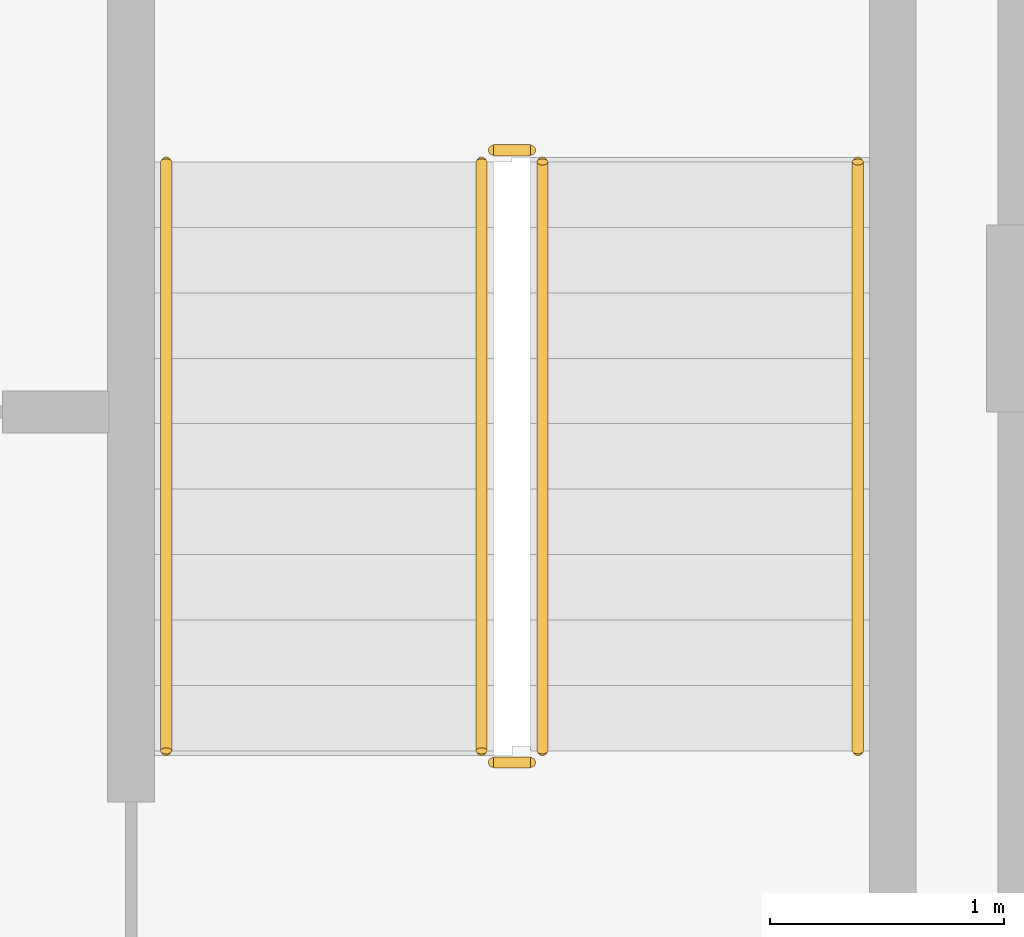
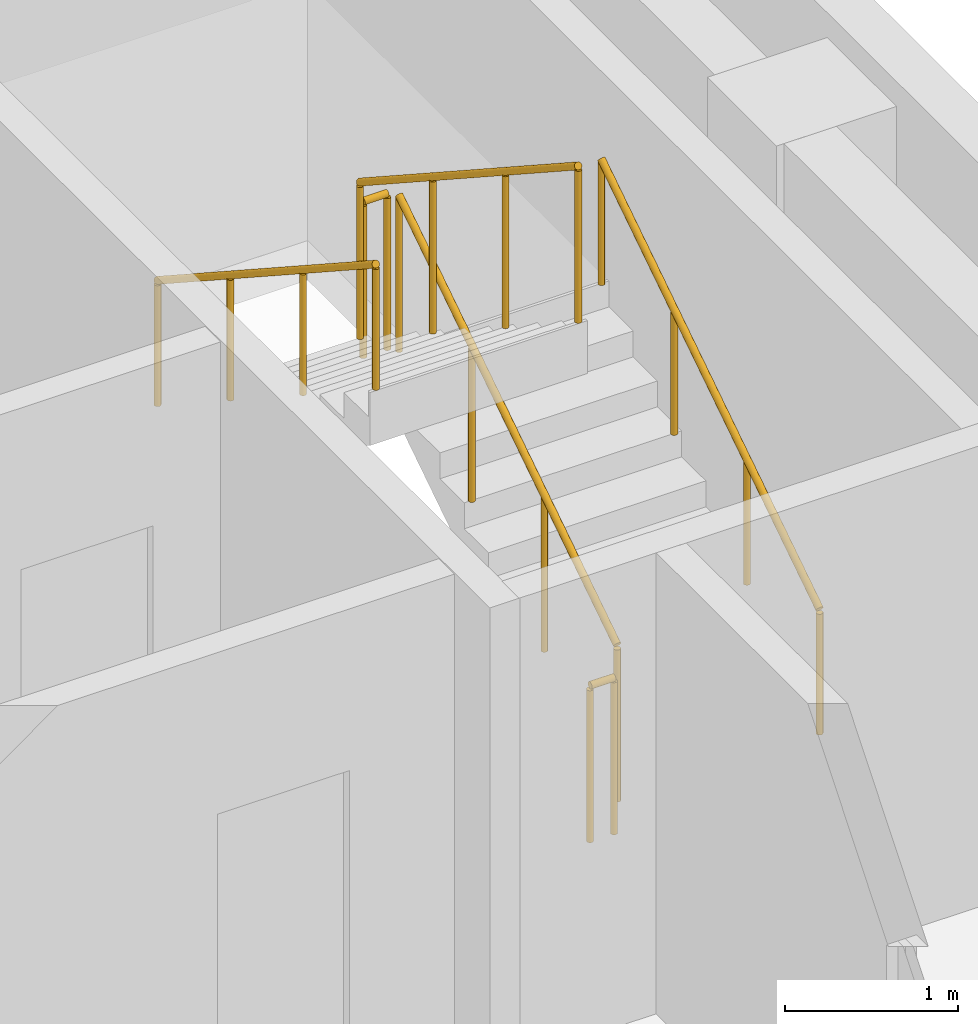
# One storey, part 13 of 14: 6 railings.
"""IFC4 building model written with IfcOpenShell, lengths in metres."""

import ifcopenshell
import ifcopenshell.guid

model = None  # the IFC model being written
_history = None  # IfcOwnerHistory: only IFC2X3 demands one
_inside = {}  # id of a spatial element -> (the spatial element, [elements in it])
_under = {}  # id of a project, library or spatial element -> (it, [spatial elements below it])
_declared = {}  # id of a project -> (the project, [libraries it declares])
_typed = {}  # id of a type object -> (the type object, [elements of that type])
_made_of = {}  # id of a material, layer set ... -> (it, [elements and type objects made of it])


def new_model(schema):
    """Start an empty IFC model of exactly this schema.

    Asked for "IFC4X3", IfcOpenShell would pick the latest addendum, in which some entities
    have other attributes; the version numbers below select the first issue.
    IFC2X3 requires an IfcOwnerHistory on every rooted entity: one is made here for all.
    """
    global model, _history
    if schema == "IFC4X3":
        model = ifcopenshell.file(schema_version=(4, 3, 0, 0))
    else:
        model = ifcopenshell.file(schema=schema)
    _inside.clear()
    _under.clear()
    _declared.clear()
    _typed.clear()
    _made_of.clear()
    _history = None
    if model.schema == "IFC2X3":
        org = make("IfcOrganization", Name="unknown")
        user = make(
            "IfcPersonAndOrganization",
            ThePerson=make("IfcPerson", FamilyName="unknown"),
            TheOrganization=org,
        )
        app = make(
            "IfcApplication",
            ApplicationDeveloper=org,
            Version="unknown",
            ApplicationFullName="unknown",
            ApplicationIdentifier="unknown",
        )
        _history = make(
            "IfcOwnerHistory",
            OwningUser=user,
            OwningApplication=app,
            ChangeAction="ADDED",
            CreationDate=0,
        )
    return model


def make(cls, **values):
    """One entity of the class cls with the attributes given. An attribute that is None is left unset."""
    return model.create_entity(
        cls, **{name: value for name, value in values.items() if value is not None}
    )


def rooted(cls, **values):
    """An entity with a GlobalId (a new one), such as an element, a storey or a relation."""
    return make(cls, GlobalId=ifcopenshell.guid.new(), OwnerHistory=_history, **values)


def si_unit(unit_type, name, prefix=None):
    """IfcSIUnit, for example si_unit("LENGTHUNIT", "METRE", prefix="MILLI")."""
    return make("IfcSIUnit", UnitType=unit_type, Prefix=prefix, Name=name)


def assignment(units):
    """IfcUnitAssignment: the units of a project."""
    return None if units is None else make("IfcUnitAssignment", Units=units)


def point(xyz):
    """IfcCartesianPoint."""
    return None if xyz is None else make("IfcCartesianPoint", Coordinates=xyz)


def direction(xyz):
    """IfcDirection."""
    return None if xyz is None else make("IfcDirection", DirectionRatios=xyz)


def frame(location, z_axis=None, x_axis=None):
    """IfcAxis2Placement3D, a coordinate frame: its origin and axes. An axis left out is left unset."""
    return make(
        "IfcAxis2Placement3D",
        Location=point(location),
        Axis=direction(z_axis),
        RefDirection=direction(x_axis),
    )


def frame_2d(location, x_axis=None):
    """IfcAxis2Placement2D, a coordinate frame in the plane: its origin and x axis."""
    return make(
        "IfcAxis2Placement2D", Location=point(location), RefDirection=direction(x_axis)
    )


def origin():
    """The frame at (0, 0, 0) with its axes left unset."""
    return frame((0.0, 0.0, 0.0))


def origin_2d():
    """The frame at (0, 0) in the plane with its x axis left unset."""
    return frame_2d((0.0, 0.0))


def place(relative_to, where):
    """IfcLocalPlacement: puts the frame where relative to a parent placement (None: the world)."""
    return make(
        "IfcLocalPlacement", PlacementRelTo=relative_to, RelativePlacement=where
    )


def context(
    kind, dimensions, precision=None, world=None, true_north=None, identifier=None
):
    """IfcGeometricRepresentationContext, for example the 3D "Model" context."""
    return make(
        "IfcGeometricRepresentationContext",
        ContextIdentifier=identifier,
        ContextType=kind,
        CoordinateSpaceDimension=dimensions,
        Precision=precision,
        WorldCoordinateSystem=world,
        TrueNorth=true_north,
    )


def subcontext(parent, identifier, kind, view, scale=None):
    """IfcGeometricRepresentationSubContext, for example "Body" below "Model"."""
    return make(
        "IfcGeometricRepresentationSubContext",
        ContextIdentifier=identifier,
        ContextType=kind,
        ParentContext=parent,
        TargetScale=scale,
        TargetView=view,
    )


def project(units=None, contexts=None):
    """IfcProject with its units and contexts."""
    return rooted(
        "IfcProject",
        Name="project",
        RepresentationContexts=contexts,
        UnitsInContext=assignment(units),
    )


def spatial(cls, under=None, at=None, **own):
    """A site, building, storey or space (cls), placed at a placement, below another one or the project."""
    s = rooted(cls, ObjectPlacement=at, **own)
    if under is not None:
        _under.setdefault(under.id(), (under, []))[1].append(s)
    return s


def profile(cls, at=None, kind="AREA", **sizes):
    """A parametric profile (cls). Its sizes go by their IFC names, for example OverallWidth=200.0."""
    return make(cls, ProfileType=kind, Position=at, **sizes)


def circle(**sizes):
    """IfcCircleProfileDef."""
    return profile("IfcCircleProfileDef", **sizes)


def extrude(swept, where, along, depth):
    """IfcExtrudedAreaSolid: the profile swept, set in the frame where, extruded along a direction by depth."""
    return make(
        "IfcExtrudedAreaSolid",
        SweptArea=swept,
        Position=where,
        ExtrudedDirection=direction(along),
        Depth=depth,
    )


def shape(context_of_items, identifier, shape_type, items):
    """IfcShapeRepresentation: the items that make up one representation, for example the "Body"."""
    return make(
        "IfcShapeRepresentation",
        ContextOfItems=context_of_items,
        RepresentationIdentifier=identifier,
        RepresentationType=shape_type,
        Items=items,
    )


def material(Name=None, Category=None):
    """IfcMaterial."""
    return make("IfcMaterial", Name=Name, Category=Category)


def made_of(thing, what):
    """Note that an element or type object is made of a material, layer set ...; save() writes the relation."""
    if what is not None:
        _made_of.setdefault(what.id(), (what, []))[1].append(thing)
    return thing


def type_object(cls, material=None, **own):
    """A type object (cls), such as IfcWallType, which elements share."""
    return made_of(rooted(cls, **own), material)


def element(
    cls,
    number,
    at=None,
    inside=None,
    cuts=None,
    type_object=None,
    material=None,
    context=None,
    identifier="Body",
    shape_type=None,
    held_by="IfcProductDefinitionShape",
    body=None,
    shapes=None,
    **own,
):
    """One element of the class cls, such as IfcWall. Its Tag is "e" and its number.

    at: its placement. inside: the storey or other place that contains it. cuts: it is an
    opening in that element (IfcRelVoidsElement). A single representation is given by context,
    identifier, shape_type and body (its items); several are given by shapes. held_by: the class
    of the entity that holds the representations. save() writes the other relations.
    """
    e = rooted(cls, Tag="e%d" % number, ObjectPlacement=at, **own)
    if body is not None:
        shapes = [shape(context, identifier, shape_type, body)]
    if shapes is not None:
        e.Representation = make(held_by, Representations=shapes)
    if inside is not None:
        _inside.setdefault(inside.id(), (inside, []))[1].append(e)
    if cuts is not None:
        rooted(
            "IfcRelVoidsElement", RelatingBuildingElement=cuts, RelatedOpeningElement=e
        )
    if type_object is not None:
        _typed.setdefault(type_object.id(), (type_object, []))[1].append(e)
    return made_of(e, material)


def aggregate(whole, parts):
    """IfcRelAggregates: a whole, such as a stair, and the parts it consists of."""
    return rooted("IfcRelAggregates", RelatingObject=whole, RelatedObjects=parts)


def save(model, path):
    """Write the relations noted so far, then the file.

    IfcRelAggregates (storeys below a building ...), IfcRelContainedInSpatialStructure (elements
    in a storey), IfcRelDefinesByType, IfcRelAssociatesMaterial and IfcRelDeclares: one each for
    every whole, place, type object, material and project.
    """
    for whole, parts in _under.values():
        aggregate(whole, parts)
    for where, things in _inside.values():
        rooted(
            "IfcRelContainedInSpatialStructure",
            RelatedElements=things,
            RelatingStructure=where,
        )
    for kind, things in _typed.values():
        rooted("IfcRelDefinesByType", RelatedObjects=things, RelatingType=kind)
    for what, things in _made_of.values():
        rooted("IfcRelAssociatesMaterial", RelatedObjects=things, RelatingMaterial=what)
    for by, libraries in _declared.values():
        rooted("IfcRelDeclares", RelatingContext=by, RelatedDefinitions=libraries)
    model.write(path)


model = new_model("IFC4")

# Units and contexts
model_context = context("Model", 3, precision=1e-05, world=origin(), true_north=direction((0.0, 1.0)))
body_context = subcontext(model_context, "Body", "Model", "MODEL_VIEW")
ifc_project = project(units=[si_unit("LENGTHUNIT", "METRE"), si_unit("AREAUNIT", "SQUARE_METRE"), si_unit("VOLUMEUNIT", "CUBIC_METRE"), si_unit("PLANEANGLEUNIT", "RADIAN"), si_unit("MASSUNIT", "GRAM", prefix="KILO")], contexts=[model_context])

# Site, building, storey
site_placement = place(None, origin())
site = spatial("IfcSite", under=ifc_project, at=site_placement, CompositionType="ELEMENT")
building_placement = place(site_placement, origin())
building = spatial("IfcBuilding", under=site, at=building_placement, Name="Nuvemarco Arch Tower", CompositionType="ELEMENT")
storey_placement = place(building_placement, frame((0.0, 0.0, 242.0)))
storey = spatial("IfcBuildingStorey", under=building, at=storey_placement, Name="L64", CompositionType="ELEMENT", Elevation=242.0)

# Railings
ifc_material_1 = material(Name="Brushed stainless steel handrail", Category="steel")
railing_type_1 = type_object("IfcRailingType", Name="RL-HANDRAIL-900", PredefinedType="HANDRAIL", material=ifc_material_1)
railing_1_placement = place(storey_placement, frame((16.550048828125, 2.64990234375, 0.1826171875)))
element("IfcRailing", 1, at=railing_1_placement, inside=storey, type_object=railing_type_1, Name="L64 ST-2 stair handrail 1", PredefinedType="HANDRAIL", context=body_context, shape_type="SweptSolid", body=[
    extrude(circle(Radius=0.02392578125, at=origin_2d()), frame((0.0, 0.0, 0.8759765625), z_axis=(0.0, 0.837786554691, 0.545997883492), x_axis=(-1.0, 0.0, 0.0)), (0.0, 0.0, 1.0), 3.008056640625),
    extrude(circle(Radius=0.02099609375, at=origin_2d()), origin(), (0.0, 0.0, 1.0), 0.851806640625),
    extrude(circle(Radius=0.02099609375, at=origin_2d()), frame((0.0, 0.840087890625, 0.54736328125)), (0.0, 0.0, 1.0), 0.851806640625),
    extrude(circle(Radius=0.02099609375, at=origin_2d()), frame((0.0, 1.679931640625, 1.094970703125)), (0.0, 0.0, 1.0), 0.851806640625),
    extrude(circle(Radius=0.02099609375, at=origin_2d()), frame((0.0, 2.52001953125, 1.642333984375)), (0.0, 0.0, 1.0), 0.851806640625),
])
railing_2_placement = place(storey_placement, frame((13.590087890625, 5.169921875, 2.007568359375)))
element("IfcRailing", 2, at=railing_2_placement, inside=storey, type_object=railing_type_1, Name="L64 ST-2 stair handrail 2", PredefinedType="HANDRAIL", context=body_context, shape_type="SweptSolid", body=[
    extrude(circle(Radius=0.02392578125, at=origin_2d()), frame((0.0, 0.0, 0.8759765625), z_axis=(0.0, -0.837786554691, 0.545997883492), x_axis=(1.0, 0.0, 0.0)), (0.0, 0.0, 1.0), 3.008056640625),
    extrude(circle(Radius=0.02099609375, at=origin_2d()), origin(), (0.0, 0.0, 1.0), 0.851806640625),
    extrude(circle(Radius=0.02099609375, at=origin_2d()), frame((0.0, -0.840087890625, 0.54736328125)), (0.0, 0.0, 1.0), 0.851806640625),
    extrude(circle(Radius=0.02099609375, at=origin_2d()), frame((0.0, -1.679931640625, 1.094970703125)), (0.0, 0.0, 1.0), 0.851806640625),
    extrude(circle(Radius=0.02099609375, at=origin_2d()), frame((0.0, -2.52001953125, 1.642333984375)), (0.0, 0.0, 1.0), 0.851806640625),
])
ifc_material_2 = material(Name="Painted balustrade steel S355", Category="steel")
railing_type_2 = type_object("IfcRailingType", Name="RL-STAIR-GUARD", PredefinedType="GUARDRAIL", material=ifc_material_2)
railing_3_placement = place(storey_placement, frame((15.199951171875, 2.64990234375, 0.1826171875)))
element("IfcRailing", 3, at=railing_3_placement, inside=storey, type_object=railing_type_2, Name="L64 ST-2 stair guard 1", PredefinedType="GUARDRAIL", context=body_context, shape_type="SweptSolid", body=[
    extrude(circle(Radius=0.02392578125, at=origin_2d()), frame((0.0, 0.0, 1.09619140625), z_axis=(0.0, 0.837786554691, 0.545997883492), x_axis=(-1.0, 0.0, 0.0)), (0.0, 0.0, 1.0), 3.008056640625),
    extrude(circle(Radius=0.02099609375, at=origin_2d()), origin(), (0.0, 0.0, 1.0), 1.072021484375),
    extrude(circle(Radius=0.02099609375, at=origin_2d()), frame((0.0, 0.840087890625, 0.54736328125)), (0.0, 0.0, 1.0), 1.072021484375),
    extrude(circle(Radius=0.02099609375, at=origin_2d()), frame((0.0, 1.679931640625, 1.094970703125)), (0.0, 0.0, 1.0), 1.072021484375),
    extrude(circle(Radius=0.02099609375, at=origin_2d()), frame((0.0, 2.52001953125, 1.642333984375)), (0.0, 0.0, 1.0), 1.072021484375),
])
railing_4_placement = place(storey_placement, frame((15.14990234375, 5.219970703125, 1.824951171875)))
element("IfcRailing", 4, at=railing_4_placement, inside=storey, type_object=railing_type_2, Name="L64 ST-2 stair guard 2", PredefinedType="GUARDRAIL", context=body_context, shape_type="SweptSolid", body=[
    extrude(circle(Radius=0.02392578125, at=origin_2d()), frame((0.0, 0.0, 1.09619140625), z_axis=(-1.0, 0.0, 0.0), x_axis=(0.0, -1.0, 0.0)), (0.0, 0.0, 1.0), 0.159912109375),
    extrude(circle(Radius=0.02099609375, at=origin_2d()), origin(), (0.0, 0.0, 1.0), 1.072021484375),
    extrude(circle(Radius=0.02099609375, at=origin_2d()), frame((-0.159912109375, 0.0, 0.0)), (0.0, 0.0, 1.0), 1.072021484375),
])
railing_5_placement = place(storey_placement, frame((14.93994140625, 5.169921875, 2.007568359375)))
element("IfcRailing", 5, at=railing_5_placement, inside=storey, type_object=railing_type_2, Name="L64 ST-2 stair guard 3", PredefinedType="GUARDRAIL", context=body_context, shape_type="SweptSolid", body=[
    extrude(circle(Radius=0.02392578125, at=origin_2d()), frame((0.0, 0.0, 1.09619140625), z_axis=(0.0, -0.837786554691, 0.545997883492), x_axis=(1.0, 0.0, 0.0)), (0.0, 0.0, 1.0), 3.008056640625),
    extrude(circle(Radius=0.02099609375, at=origin_2d()), origin(), (0.0, 0.0, 1.0), 1.072021484375),
    extrude(circle(Radius=0.02099609375, at=origin_2d()), frame((0.0, -0.840087890625, 0.54736328125)), (0.0, 0.0, 1.0), 1.072021484375),
    extrude(circle(Radius=0.02099609375, at=origin_2d()), frame((0.0, -1.679931640625, 1.094970703125)), (0.0, 0.0, 1.0), 1.072021484375),
    extrude(circle(Radius=0.02099609375, at=origin_2d()), frame((0.0, -2.52001953125, 1.642333984375)), (0.0, 0.0, 1.0), 1.072021484375),
])
railing_6_placement = place(storey_placement, frame((15.14990234375, 2.60009765625, 0.0)))
element("IfcRailing", 6, at=railing_6_placement, inside=storey, type_object=railing_type_2, Name="L64 ST-2 stair guard 4", PredefinedType="GUARDRAIL", context=body_context, shape_type="SweptSolid", body=[
    extrude(circle(Radius=0.02392578125, at=origin_2d()), frame((0.0, 0.0, 1.09619140625), z_axis=(-1.0, 0.0, 0.0), x_axis=(0.0, -1.0, 0.0)), (0.0, 0.0, 1.0), 0.159912109375),
    extrude(circle(Radius=0.02099609375, at=origin_2d()), origin(), (0.0, 0.0, 1.0), 1.072021484375),
    extrude(circle(Radius=0.02099609375, at=origin_2d()), frame((-0.159912109375, 0.0, 0.0)), (0.0, 0.0, 1.0), 1.072021484375),
])

save(model, "model.ifc")
